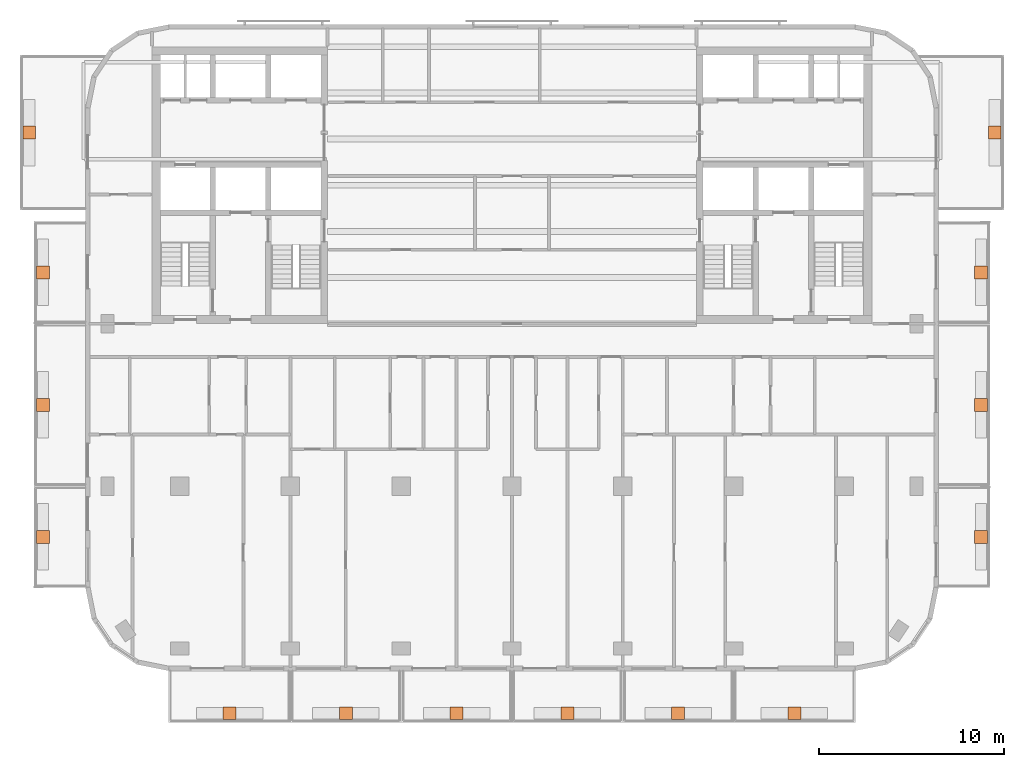
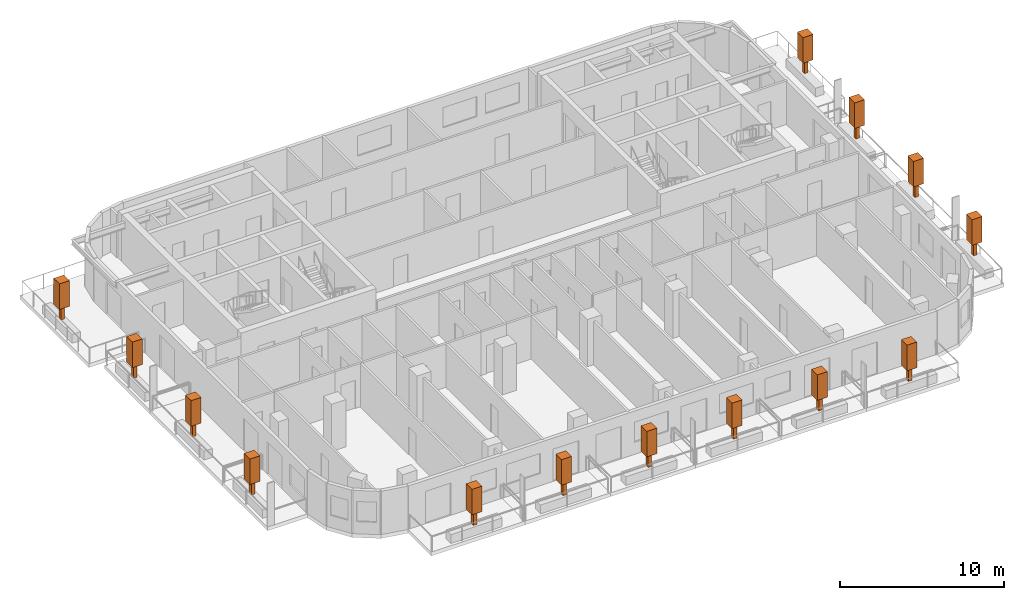
# One storey, part 11 of 11: 14 geographic elements.
"""IFC4 building model written with IfcOpenShell, lengths in metres."""

from ifc_helpers import new_model, si_unit, direction, frame, origin, origin_2d, place, context, subcontext, project, spatial, rectangle, extrude, material, element, save


model = new_model("IFC4")

# Units and contexts
model_context = context("Model", 3, precision=1e-05, world=origin(), true_north=direction((0.0, 1.0)))
body_context = subcontext(model_context, "Body", "Model", "MODEL_VIEW")
ifc_project = project(units=[si_unit("LENGTHUNIT", "METRE"), si_unit("AREAUNIT", "SQUARE_METRE"), si_unit("VOLUMEUNIT", "CUBIC_METRE"), si_unit("PLANEANGLEUNIT", "RADIAN"), si_unit("MASSUNIT", "GRAM", prefix="KILO")], contexts=[model_context])

# Site, building, storey
site_placement = place(None, origin())
site = spatial("IfcSite", under=ifc_project, at=site_placement, CompositionType="ELEMENT")
building_placement = place(site_placement, origin())
building = spatial("IfcBuilding", under=site, at=building_placement, Name="Torana Hotel and Residences", CompositionType="ELEMENT")
storey_placement = place(building_placement, frame((0.0, 0.0, 291.10009765625)))
storey = spatial("IfcBuildingStorey", under=building, at=storey_placement, Name="L77", CompositionType="ELEMENT", Elevation=291.10009765625)

# Geographic elements
ifc_material = material(Name="Foliage", Category="planting")
for number, where, z_axis, x_axis, name in (
    (1, (-15.300048828125, -36.10009765625, 0.64990234375), (0.0, 0.0, 1.0), (1.0, 0.0, 0.0), "Tree 01"),
    (2, (-9.0, -36.10009765625, 0.64990234375), (0.0, 0.0, 1.0), (1.0, 0.0, 0.0), "Tree 02"),
    (3, (-3.0, -36.10009765625, 0.64990234375), (0.0, 0.0, 1.0), (1.0, 0.0, 0.0), "Tree 03"),
    (4, (3.0, -36.10009765625, 0.64990234375), (0.0, 0.0, 1.0), (1.0, 0.0, 0.0), "Tree 04"),
    (5, (9.0, -36.10009765625, 0.64990234375), (0.0, 0.0, 1.0), (1.0, 0.0, 0.0), "Tree 05"),
    (6, (15.300048828125, -36.10009765625, 0.64990234375), (0.0, 0.0, 1.0), (1.0, 0.0, 0.0), "Tree 06"),
    (7, (-25.39990234375, -26.550048828125, 0.64990234375), (0.0, 0.0, 1.0), (1.0, 0.0, 0.0), "Tree 07"),
    (8, (-25.39990234375, -19.39990234375, 0.64990234375), (0.0, 0.0, 1.0), (1.0, 0.0, 0.0), "Tree 08"),
    (9, (-25.39990234375, -12.22509765625, 0.64990234375), (0.0, 0.0, 1.0), (1.0, 0.0, 0.0), "Tree 09"),
    (10, (-26.14990234375, -4.64990234375, 0.64990234375), (0.0, 0.0, 1.0), (1.0, 0.0, 0.0), "Tree 10"),
    (11, (25.39990234375, -26.550048828125, 0.64990234375), (0.0, 0.0, 1.0), (1.0, 0.0, 0.0), "Tree 11"),
    (12, (25.39990234375, -19.39990234375, 0.64990234375), (0.0, 0.0, 1.0), (1.0, 0.0, 0.0), "Tree 12"),
    (13, (25.39990234375, -12.22509765625, 0.64990234375), (0.0, 0.0, 1.0), (1.0, 0.0, 0.0), "Tree 13"),
    (14, (26.14990234375, -4.64990234375, 0.64990234375), (0.0, 0.0, 1.0), (1.0, 0.0, 0.0), "Tree 14"),
):
    element("IfcGeographicElement", number, at=place(storey_placement, frame(where, z_axis=z_axis, x_axis=x_axis)), inside=storey, material=ifc_material, Name=name, ObjectType="TREE", PredefinedType="USERDEFINED", context=body_context, shape_type="SweptSolid", body=[
        extrude(rectangle(XDim=0.25, YDim=0.25, at=origin_2d()), origin(), (0.0, 0.0, 1.0), 1.0),
        extrude(rectangle(XDim=0.699951171875, YDim=0.699951171875, at=origin_2d()), frame((0.0, 0.0, 1.0)), (0.0, 0.0, 1.0), 1.89990234375),
    ])

save(model, "model.ifc")
